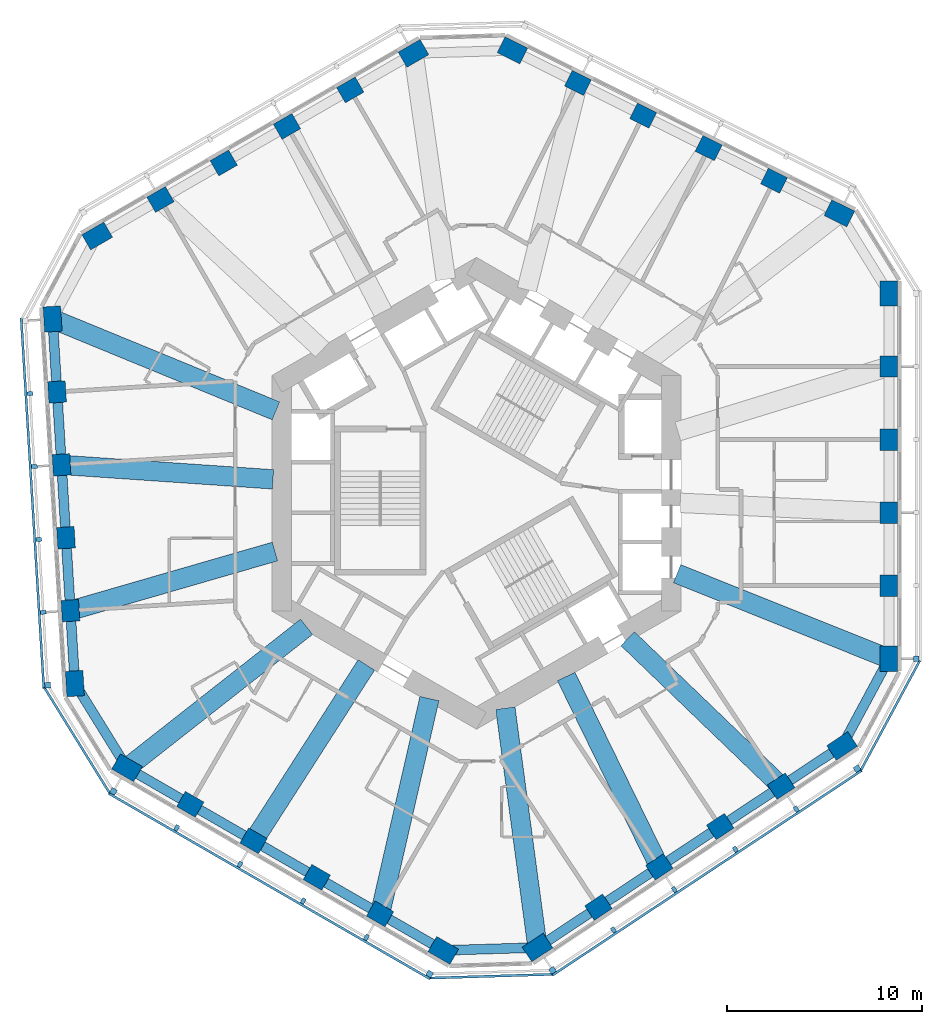
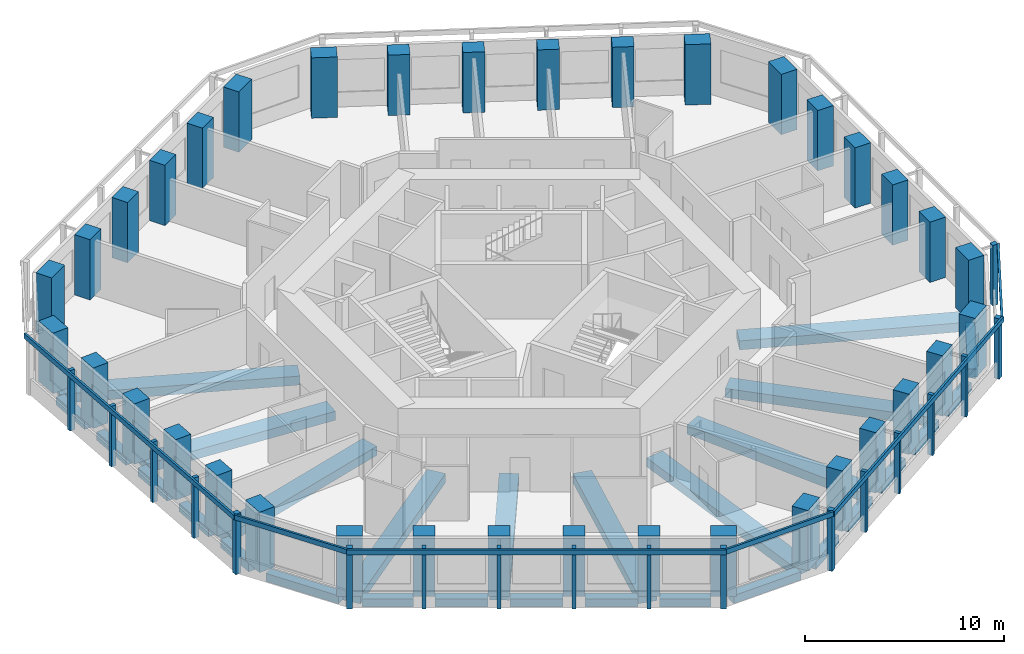
# One storey, part 1 of 11: 36 columns, 28 beams, 24 members, 7 elements without a shape of their own.
"""IFC4 building model written with IfcOpenShell, lengths in metres."""

from ifc_helpers import new_model, si_unit, direction, frame, origin, origin_2d, place, context, subcontext, project, spatial, rectangle, extrude, material, material_profile, profile_set, type_object, element, aggregate, save


model = new_model("IFC4")

# Units and contexts
model_context = context("Model", 3, precision=1e-05, world=origin(), true_north=direction((0.0, 1.0)))
body_context = subcontext(model_context, "Body", "Model", "MODEL_VIEW")
ifc_project = project(units=[si_unit("LENGTHUNIT", "METRE"), si_unit("AREAUNIT", "SQUARE_METRE"), si_unit("VOLUMEUNIT", "CUBIC_METRE"), si_unit("PLANEANGLEUNIT", "RADIAN"), si_unit("MASSUNIT", "GRAM", prefix="KILO")], contexts=[model_context])

# Site, building, storey
site_placement = place(None, origin())
site = spatial("IfcSite", under=ifc_project, at=site_placement, CompositionType="ELEMENT")
building_placement = place(site_placement, origin())
building = spatial("IfcBuilding", under=site, at=building_placement, Name="Vanh Sen Convention Tower", CompositionType="ELEMENT")
storey_placement = place(building_placement, frame((0.0, 0.0, 135.5)))
storey = spatial("IfcBuildingStorey", under=building, at=storey_placement, Name="L33", CompositionType="ELEMENT", Elevation=135.5)

# Columns
ifc_material_1 = material(Name="Concrete C80/95", Category="concrete")
ifc_material_profile_1 = material_profile(ifc_material_1, rectangle(XDim=1.10009765625, YDim=0.89990234375, at=origin_2d()), Name="RC 1100X900")
ifc_profile_set_1 = profile_set([ifc_material_profile_1], Name="Concrete C80/95")
column_type_1 = type_object("IfcColumnType", Name="Facade column 1100 x 900 C80/95", PredefinedType="COLUMN", material=ifc_profile_set_1)
for number, where, z_axis, x_axis, name in (
    (1, (21.199951171875, -4.746826171875, 0.0), (0.0, 0.0, 1.0), (0.0, 1.0, 0.0), "Facade column 02 L33"),
    (2, (21.199951171875, -0.992919921875, 0.0), (0.0, 0.0, 1.0), (0.0, 1.0, 0.0), "Facade column 03 L33"),
    (3, (21.199951171875, 2.76123046875, 0.0), (0.0, 0.0, 1.0), (0.0, 1.0, 0.0), "Facade column 04 L33"),
    (4, (21.199951171875, 6.515380859375, 0.0), (0.0, 0.0, 1.0), (0.0, 1.0, 0.0), "Facade column 05 L33"),
    (5, (15.290283203125, 16.0654296875, 0.0), (0.0, 0.0, 1.0), (-0.894934361602, 0.44619781311, 0.0), "Facade column 08 L33"),
    (6, (11.9306640625, 17.740478515625, 0.0), (0.0, 0.0, 1.0), (-0.894934361602, 0.44619781311, 0.0), "Facade column 09 L33"),
    (7, (8.57080078125, 19.41552734375, 0.0), (0.0, 0.0, 1.0), (-0.894934361602, 0.44619781311, 0.0), "Facade column 10 L33"),
    (8, (5.211181640625, 21.0908203125, 0.0), (0.0, 0.0, 1.0), (-0.894934361602, 0.44619781311, 0.0), "Facade column 11 L33"),
    (9, (-6.489013671875, 20.733154296875, 0.0), (0.0, 0.0, 1.0), (-0.866025403784, -0.5, 0.0), "Facade column 14 L33"),
    (10, (-9.740234375, 18.856201171875, 0.0), (0.0, 0.0, 1.0), (-0.866025403784, -0.5, 0.0), "Facade column 15 L33"),
    (11, (-12.991455078125, 16.97900390625, 0.0), (0.0, 0.0, 1.0), (-0.866025403784, -0.5, 0.0), "Facade column 16 L33"),
    (12, (-16.242431640625, 15.10205078125, 0.0), (0.0, 0.0, 1.0), (-0.866025403784, -0.5, 0.0), "Facade column 17 L33"),
    (13, (-21.55810546875, 5.208984375, 0.0), (0.0, 0.0, 1.0), (0.061048539535, -0.998134798422, 0.0), "Facade column 20 L33"),
    (14, (-21.3291015625, 1.4619140625, 0.0), (0.0, 0.0, 1.0), (0.061048539535, -0.998134798422, 0.0), "Facade column 21 L33"),
    (15, (-21.099853515625, -2.28515625, 0.0), (0.0, 0.0, 1.0), (0.061048539535, -0.998134798422, 0.0), "Facade column 22 L33"),
    (16, (-20.87060546875, -6.0322265625, 0.0), (0.0, 0.0, 1.0), (0.061048539535, -0.998134798422, 0.0), "Facade column 23 L33"),
    (17, (-14.7109375, -15.986328125, 0.0), (0.0, 0.0, 1.0), (0.866025403784, -0.5, 0.0), "Facade column 26 L33"),
    (18, (-11.459716796875, -17.86328125, 0.0), (0.0, 0.0, 1.0), (0.866025403784, -0.5, 0.0), "Facade column 27 L33"),
    (19, (-8.20849609375, -19.740478515625, 0.0), (0.0, 0.0, 1.0), (0.866025403784, -0.5, 0.0), "Facade column 28 L33"),
    (20, (-4.95751953125, -21.617431640625, 0.0), (0.0, 0.0, 1.0), (0.866025403784, -0.5, 0.0), "Facade column 29 L33"),
    (21, (6.267822265625, -21.2744140625, 0.0), (0.0, 0.0, 1.0), (0.833885822067, 0.551936985312, 0.0), "Facade column 32 L33"),
    (22, (9.3984375, -19.202392578125, 0.0), (0.0, 0.0, 1.0), (0.833885822067, 0.551936985312, 0.0), "Facade column 33 L33"),
    (23, (12.52880859375, -17.13037109375, 0.0), (0.0, 0.0, 1.0), (0.833885822067, 0.551936985312, 0.0), "Facade column 34 L33"),
    (24, (15.659423828125, -15.058349609375, 0.0), (0.0, 0.0, 1.0), (0.833885822067, 0.551936985312, 0.0), "Facade column 35 L33"),
):
    element("IfcColumn", number, at=place(storey_placement, frame(where, z_axis=z_axis, x_axis=x_axis)), inside=storey, type_object=column_type_1, Name=name, PredefinedType="COLUMN", context=body_context, shape_type="SweptSolid", body=[
        extrude(rectangle(XDim=1.10009765625, YDim=0.89990234375, at=origin_2d()), origin(), (0.0, 0.0, 1.0), 3.699951171875),
    ])
ifc_material_profile_2 = material_profile(ifc_material_1, rectangle(XDim=1.300048828125, YDim=0.89990234375, at=origin_2d()), Name="RC 1300X900")
ifc_profile_set_2 = profile_set([ifc_material_profile_2], Name="Concrete C80/95")
column_type_2 = type_object("IfcColumnType", Name="Facade corner column 1300 x 900 C80/95", PredefinedType="COLUMN", material=ifc_profile_set_2)
for number, where, z_axis, x_axis, name in (
    (25, (21.199951171875, -8.5009765625, 0.0), (0.0, 0.0, 1.0), (0.0, 1.0, 0.0), "Facade column 01 L33"),
    (26, (21.199951171875, 10.26953125, 0.0), (0.0, 0.0, 1.0), (0.0, 1.0, 0.0), "Facade column 06 L33"),
    (27, (18.64990234375, 14.390380859375, 0.0), (0.0, 0.0, 1.0), (-0.894934361602, 0.44619781311, 0.0), "Facade column 07 L33"),
    (28, (1.8515625, 22.765625, 0.0), (0.0, 0.0, 1.0), (-0.894934361602, 0.44619781311, 0.0), "Facade column 12 L33"),
    (29, (-3.23779296875, 22.610107421875, 0.0), (0.0, 0.0, 1.0), (-0.866025403784, -0.5, 0.0), "Facade column 13 L33"),
    (30, (-19.49365234375, 13.22509765625, 0.0), (0.0, 0.0, 1.0), (-0.866025403784, -0.5, 0.0), "Facade column 18 L33"),
    (31, (-21.787353515625, 8.956298828125, 0.0), (0.0, 0.0, 1.0), (0.061048539535, -0.998134798422, 0.0), "Facade column 19 L33"),
    (32, (-20.6416015625, -9.779296875, 0.0), (0.0, 0.0, 1.0), (0.061048539535, -0.998134798422, 0.0), "Facade column 24 L33"),
    (33, (-17.962158203125, -14.109130859375, 0.0), (0.0, 0.0, 1.0), (0.866025403784, -0.5, 0.0), "Facade column 25 L33"),
    (34, (-1.706298828125, -23.494384765625, 0.0), (0.0, 0.0, 1.0), (0.866025403784, -0.5, 0.0), "Facade column 30 L33"),
    (35, (3.137451171875, -23.346435546875, 0.0), (0.0, 0.0, 1.0), (0.833885822067, 0.551936985312, 0.0), "Facade column 31 L33"),
    (36, (18.789794921875, -12.986328125, 0.0), (0.0, 0.0, 1.0), (0.833885822067, 0.551936985312, 0.0), "Facade column 36 L33"),
):
    element("IfcColumn", number, at=place(storey_placement, frame(where, z_axis=z_axis, x_axis=x_axis)), inside=storey, type_object=column_type_2, Name=name, PredefinedType="COLUMN", context=body_context, shape_type="SweptSolid", body=[
        extrude(rectangle(XDim=1.300048828125, YDim=0.89990234375, at=origin_2d()), origin(), (0.0, 0.0, 1.0), 3.699951171875),
    ])

# Curtain wall, member
ifc_material_2 = material(Name="Concrete C50/60", Category="concrete")
curtain_wall_type = type_object("IfcCurtainWallType", Name="Outer skin office zone", PredefinedType="NOTDEFINED", material=ifc_material_2)
curtain_wall_1_placement = place(storey_placement, origin())
curtain_wall_1 = element("IfcCurtainWall", 37, at=curtain_wall_1_placement, inside=storey, type_object=curtain_wall_type, Name="OUTER SKIN E L33", PredefinedType="NOTDEFINED")
ifc_material_profile_3 = material_profile(ifc_material_2, rectangle(XDim=0.300048828125, YDim=0.300048828125, at=origin_2d()), Name="Outer skin precast corner fin 300 x 300")
ifc_profile_set_3 = profile_set([ifc_material_profile_3], Name="Concrete C50/60")
member_type_1 = type_object("IfcMemberType", Name="Outer skin precast corner fin 300 x 300", PredefinedType="MULLION", material=ifc_profile_set_3)
member_1_placement = place(storey_placement, frame((22.60009765625, -8.5009765625, 0.0), z_axis=(0.0, 0.0, 1.0), x_axis=(0.0, 1.0, 0.0)))
member_1 = element("IfcMember", 38, at=member_1_placement, type_object=member_type_1, Name="OUTER SKIN CORNER FIN 1 E L33", PredefinedType="MULLION", context=body_context, shape_type="SweptSolid", body=[
    extrude(rectangle(XDim=0.300048828125, YDim=0.300048828125, at=origin_2d()), origin(), (0.0, 0.0, 1.0), 3.699951171875),
])
aggregate(curtain_wall_1, [member_1])

curtain_wall_2_placement = place(storey_placement, origin())
curtain_wall_2 = element("IfcCurtainWall", 39, at=curtain_wall_2_placement, inside=storey, type_object=curtain_wall_type, Name="OUTER SKIN W L33", PredefinedType="NOTDEFINED")
member_2_placement = place(storey_placement, frame((-22.038818359375, -9.864990234375, 0.0), z_axis=(0.0, 0.0, 1.0), x_axis=(0.061048539535, -0.998134798422, 0.0)))
member_2 = element("IfcMember", 40, at=member_2_placement, type_object=member_type_1, Name="OUTER SKIN CORNER FIN 6 W L33", PredefinedType="MULLION", context=body_context, shape_type="SweptSolid", body=[
    extrude(rectangle(XDim=0.300048828125, YDim=0.300048828125, at=origin_2d()), origin(), (0.0, 0.0, 1.0), 3.699951171875),
])

# Curtain wall, members
curtain_wall_3_placement = place(storey_placement, origin())
curtain_wall_3 = element("IfcCurtainWall", 41, at=curtain_wall_3_placement, inside=storey, type_object=curtain_wall_type, Name="OUTER SKIN SW L33", PredefinedType="NOTDEFINED")
member_3_placement = place(storey_placement, frame((-18.662109375, -15.321533203125, 0.0), z_axis=(0.0, 0.0, 1.0), x_axis=(0.866025403784, -0.5, 0.0)))
member_3 = element("IfcMember", 42, at=member_3_placement, type_object=member_type_1, Name="OUTER SKIN CORNER FIN 1 SW L33", PredefinedType="MULLION", context=body_context, shape_type="SweptSolid", body=[
    extrude(rectangle(XDim=0.300048828125, YDim=0.300048828125, at=origin_2d()), origin(), (0.0, 0.0, 1.0), 3.699951171875),
])
member_4_placement = place(storey_placement, frame((-2.40625, -24.706787109375, 0.0), z_axis=(0.0, 0.0, 1.0), x_axis=(0.866025403784, -0.5, 0.0)))
member_4 = element("IfcMember", 43, at=member_4_placement, type_object=member_type_1, Name="OUTER SKIN CORNER FIN 6 SW L33", PredefinedType="MULLION", context=body_context, shape_type="SweptSolid", body=[
    extrude(rectangle(XDim=0.300048828125, YDim=0.300048828125, at=origin_2d()), origin(), (0.0, 0.0, 1.0), 3.699951171875),
])

curtain_wall_4_placement = place(storey_placement, origin())
curtain_wall_4 = element("IfcCurtainWall", 44, at=curtain_wall_4_placement, inside=storey, type_object=curtain_wall_type, Name="OUTER SKIN SE L33", PredefinedType="NOTDEFINED")
member_5_placement = place(storey_placement, frame((3.91015625, -24.513916015625, 0.0), z_axis=(0.0, 0.0, 1.0), x_axis=(0.833885822067, 0.551936985312, 0.0)))
member_5 = element("IfcMember", 45, at=member_5_placement, type_object=member_type_1, Name="OUTER SKIN CORNER FIN 1 SE L33", PredefinedType="MULLION", context=body_context, shape_type="SweptSolid", body=[
    extrude(rectangle(XDim=0.300048828125, YDim=0.300048828125, at=origin_2d()), origin(), (0.0, 0.0, 1.0), 3.699951171875),
])
member_6_placement = place(storey_placement, frame((19.5625, -14.15380859375, 0.0), z_axis=(0.0, 0.0, 1.0), x_axis=(0.833885822067, 0.551936985312, 0.0)))
member_6 = element("IfcMember", 46, at=member_6_placement, type_object=member_type_1, Name="OUTER SKIN CORNER FIN 6 SE L33", PredefinedType="MULLION", context=body_context, shape_type="SweptSolid", body=[
    extrude(rectangle(XDim=0.300048828125, YDim=0.300048828125, at=origin_2d()), origin(), (0.0, 0.0, 1.0), 3.699951171875),
])

# Member
ifc_material_profile_4 = material_profile(ifc_material_2, rectangle(XDim=0.199951171875, YDim=0.300048828125, at=origin_2d()), Name="Outer skin precast fin 200 x 300")
ifc_profile_set_4 = profile_set([ifc_material_profile_4], Name="Concrete C50/60")
member_type_2 = type_object("IfcMemberType", Name="Outer skin precast fin 200 x 300", PredefinedType="MULLION", material=ifc_profile_set_4)
member_7_placement = place(storey_placement, frame((-22.95556640625, 5.12353515625, 0.0), z_axis=(0.0, 0.0, 1.0), x_axis=(0.061048539535, -0.998134798422, 0.0)))
member_7 = element("IfcMember", 47, at=member_7_placement, type_object=member_type_2, Name="OUTER SKIN fin 2 W L33", PredefinedType="MULLION", context=body_context, shape_type="SweptSolid", body=[
    extrude(rectangle(XDim=0.199951171875, YDim=0.300048828125, at=origin_2d()), origin(), (0.0, 0.0, 1.0), 3.699951171875),
])

member_8_placement = place(storey_placement, frame((-22.726318359375, 1.37646484375, 0.0), z_axis=(0.0, 0.0, 1.0), x_axis=(0.061048539535, -0.998134798422, 0.0)))
member_8 = element("IfcMember", 48, at=member_8_placement, type_object=member_type_2, Name="OUTER SKIN fin 3 W L33", PredefinedType="MULLION", context=body_context, shape_type="SweptSolid", body=[
    extrude(rectangle(XDim=0.199951171875, YDim=0.300048828125, at=origin_2d()), origin(), (0.0, 0.0, 1.0), 3.699951171875),
])

member_9_placement = place(storey_placement, frame((-22.497314453125, -2.37060546875, 0.0), z_axis=(0.0, 0.0, 1.0), x_axis=(0.061048539535, -0.998134798422, 0.0)))
member_9 = element("IfcMember", 49, at=member_9_placement, type_object=member_type_2, Name="OUTER SKIN fin 4 W L33", PredefinedType="MULLION", context=body_context, shape_type="SweptSolid", body=[
    extrude(rectangle(XDim=0.199951171875, YDim=0.300048828125, at=origin_2d()), origin(), (0.0, 0.0, 1.0), 3.699951171875),
])

member_10_placement = place(storey_placement, frame((-22.26806640625, -6.117919921875, 0.0), z_axis=(0.0, 0.0, 1.0), x_axis=(0.061048539535, -0.998134798422, 0.0)))
member_10 = element("IfcMember", 50, at=member_10_placement, type_object=member_type_2, Name="OUTER SKIN fin 5 W L33", PredefinedType="MULLION", context=body_context, shape_type="SweptSolid", body=[
    extrude(rectangle(XDim=0.199951171875, YDim=0.300048828125, at=origin_2d()), origin(), (0.0, 0.0, 1.0), 3.699951171875),
])

member_11_placement = place(storey_placement, frame((-15.410888671875, -17.19873046875, 0.0), z_axis=(0.0, 0.0, 1.0), x_axis=(0.866025403784, -0.5, 0.0)))
member_11 = element("IfcMember", 51, at=member_11_placement, type_object=member_type_2, Name="OUTER SKIN fin 2 SW L33", PredefinedType="MULLION", context=body_context, shape_type="SweptSolid", body=[
    extrude(rectangle(XDim=0.199951171875, YDim=0.300048828125, at=origin_2d()), origin(), (0.0, 0.0, 1.0), 3.699951171875),
])

member_12_placement = place(storey_placement, frame((-12.159912109375, -19.07568359375, 0.0), z_axis=(0.0, 0.0, 1.0), x_axis=(0.866025403784, -0.5, 0.0)))
member_12 = element("IfcMember", 52, at=member_12_placement, type_object=member_type_2, Name="OUTER SKIN fin 3 SW L33", PredefinedType="MULLION", context=body_context, shape_type="SweptSolid", body=[
    extrude(rectangle(XDim=0.199951171875, YDim=0.300048828125, at=origin_2d()), origin(), (0.0, 0.0, 1.0), 3.699951171875),
])

member_13_placement = place(storey_placement, frame((-8.90869140625, -20.952880859375, 0.0), z_axis=(0.0, 0.0, 1.0), x_axis=(0.866025403784, -0.5, 0.0)))
member_13 = element("IfcMember", 53, at=member_13_placement, type_object=member_type_2, Name="OUTER SKIN fin 4 SW L33", PredefinedType="MULLION", context=body_context, shape_type="SweptSolid", body=[
    extrude(rectangle(XDim=0.199951171875, YDim=0.300048828125, at=origin_2d()), origin(), (0.0, 0.0, 1.0), 3.699951171875),
])

member_14_placement = place(storey_placement, frame((-5.657470703125, -22.829833984375, 0.0), z_axis=(0.0, 0.0, 1.0), x_axis=(0.866025403784, -0.5, 0.0)))
member_14 = element("IfcMember", 54, at=member_14_placement, type_object=member_type_2, Name="OUTER SKIN fin 5 SW L33", PredefinedType="MULLION", context=body_context, shape_type="SweptSolid", body=[
    extrude(rectangle(XDim=0.199951171875, YDim=0.300048828125, at=origin_2d()), origin(), (0.0, 0.0, 1.0), 3.699951171875),
])

member_15_placement = place(storey_placement, frame((7.04052734375, -22.44189453125, 0.0), z_axis=(0.0, 0.0, 1.0), x_axis=(0.833885822067, 0.551936985312, 0.0)))
member_15 = element("IfcMember", 55, at=member_15_placement, type_object=member_type_2, Name="OUTER SKIN fin 2 SE L33", PredefinedType="MULLION", context=body_context, shape_type="SweptSolid", body=[
    extrude(rectangle(XDim=0.199951171875, YDim=0.300048828125, at=origin_2d()), origin(), (0.0, 0.0, 1.0), 3.699951171875),
])

member_16_placement = place(storey_placement, frame((10.171142578125, -20.369873046875, 0.0), z_axis=(0.0, 0.0, 1.0), x_axis=(0.833885822067, 0.551936985312, 0.0)))
member_16 = element("IfcMember", 56, at=member_16_placement, type_object=member_type_2, Name="OUTER SKIN fin 3 SE L33", PredefinedType="MULLION", context=body_context, shape_type="SweptSolid", body=[
    extrude(rectangle(XDim=0.199951171875, YDim=0.300048828125, at=origin_2d()), origin(), (0.0, 0.0, 1.0), 3.699951171875),
])

member_17_placement = place(storey_placement, frame((13.301513671875, -18.2978515625, 0.0), z_axis=(0.0, 0.0, 1.0), x_axis=(0.833885822067, 0.551936985312, 0.0)))
member_17 = element("IfcMember", 57, at=member_17_placement, type_object=member_type_2, Name="OUTER SKIN fin 4 SE L33", PredefinedType="MULLION", context=body_context, shape_type="SweptSolid", body=[
    extrude(rectangle(XDim=0.199951171875, YDim=0.300048828125, at=origin_2d()), origin(), (0.0, 0.0, 1.0), 3.699951171875),
])

member_18_placement = place(storey_placement, frame((16.43212890625, -16.225830078125, 0.0), z_axis=(0.0, 0.0, 1.0), x_axis=(0.833885822067, 0.551936985312, 0.0)))
member_18 = element("IfcMember", 58, at=member_18_placement, type_object=member_type_2, Name="OUTER SKIN fin 5 SE L33", PredefinedType="MULLION", context=body_context, shape_type="SweptSolid", body=[
    extrude(rectangle(XDim=0.199951171875, YDim=0.300048828125, at=origin_2d()), origin(), (0.0, 0.0, 1.0), 3.699951171875),
])

ifc_material_profile_5 = material_profile(ifc_material_2, rectangle(XDim=0.1201171875, YDim=0.300048828125, at=origin_2d()), Name="Outer skin precast spandrel band 300 x 120")
ifc_profile_set_5 = profile_set([ifc_material_profile_5], Name="Concrete C50/60")
member_type_3 = type_object("IfcMemberType", Name="Outer skin precast spandrel band 300 x 120", PredefinedType="USERDEFINED", material=ifc_profile_set_5)
member_19_placement = place(storey_placement, frame((-23.403564453125, 9.007568359375, 3.550048828125), z_axis=(0.061052799403, -0.998134537868, 0.0), x_axis=(0.998134537868, 0.061052799403, 0.0)))
member_19 = element("IfcMember", 59, at=member_19_placement, type_object=member_type_3, Name="OUTER SKIN spandrel band W L33", ObjectType="TRANSOM", PredefinedType="USERDEFINED", context=body_context, shape_type="SweptSolid", body=[
    extrude(rectangle(XDim=0.1201171875, YDim=0.300048828125, at=origin_2d()), origin(), (0.0, 0.0, 1.0), 19.070556640625),
])

aggregate(curtain_wall_2, [member_7, member_8, member_9, member_10, member_2, member_19])

# Curtain wall, member
curtain_wall_5_placement = place(storey_placement, origin())
curtain_wall_5 = element("IfcCurtainWall", 60, at=curtain_wall_5_placement, inside=storey, type_object=curtain_wall_type, Name="OUTER SKIN CH4 L33", PredefinedType="NOTDEFINED")
member_20_placement = place(storey_placement, frame((-22.217529296875, -9.975341796875, 3.550048828125), z_axis=(0.526207913146, -0.85035594438, 0.0), x_axis=(0.85035594438, 0.526207913146, 0.0)))
member_20 = element("IfcMember", 61, at=member_20_placement, type_object=member_type_3, Name="OUTER SKIN spandrel band CH4 L33", ObjectType="TRANSOM", PredefinedType="USERDEFINED", context=body_context, shape_type="SweptSolid", body=[
    extrude(rectangle(XDim=0.1201171875, YDim=0.300048828125, at=origin_2d()), origin(), (0.0, 0.0, 1.0), 6.4169921875),
])
aggregate(curtain_wall_5, [member_20])

# Member
member_21_placement = place(storey_placement, frame((-18.89697265625, -15.428466796875, 3.550048828125), z_axis=(0.866023136587, -0.500003926881, 0.0), x_axis=(0.500003926881, 0.866023136587, 0.0)))
member_21 = element("IfcMember", 62, at=member_21_placement, type_object=member_type_3, Name="OUTER SKIN spandrel band SW L33", ObjectType="TRANSOM", PredefinedType="USERDEFINED", context=body_context, shape_type="SweptSolid", body=[
    extrude(rectangle(XDim=0.1201171875, YDim=0.300048828125, at=origin_2d()), origin(), (0.0, 0.0, 1.0), 19.070556640625),
])

aggregate(curtain_wall_3, [member_3, member_11, member_12, member_13, member_14, member_4, member_21])

# Curtain wall, member
curtain_wall_6_placement = place(storey_placement, origin())
curtain_wall_6 = element("IfcCurtainWall", 63, at=curtain_wall_6_placement, inside=storey, type_object=curtain_wall_type, Name="OUTER SKIN CH5 L33", PredefinedType="NOTDEFINED")
member_22_placement = place(storey_placement, frame((-2.39990234375, -24.916748046875, 3.550048828125), z_axis=(0.99953413443, 0.030520716071, 0.0), x_axis=(-0.030520716071, 0.99953413443, 0.0)))
member_22 = element("IfcMember", 64, at=member_22_placement, type_object=member_type_3, Name="OUTER SKIN spandrel band CH5 L33", ObjectType="TRANSOM", PredefinedType="USERDEFINED", context=body_context, shape_type="SweptSolid", body=[
    extrude(rectangle(XDim=0.1201171875, YDim=0.300048828125, at=origin_2d()), origin(), (0.0, 0.0, 1.0), 6.3193359375),
])
aggregate(curtain_wall_6, [member_22])

# Member
member_23_placement = place(storey_placement, frame((3.90087890625, -24.771728515625, 3.550048828125), z_axis=(0.833891134859, 0.551928958475, 0.0), x_axis=(-0.551928958475, 0.833891134859, 0.0)))
member_23 = element("IfcMember", 65, at=member_23_placement, type_object=member_type_3, Name="OUTER SKIN spandrel band SE L33", ObjectType="TRANSOM", PredefinedType="USERDEFINED", context=body_context, shape_type="SweptSolid", body=[
    extrude(rectangle(XDim=0.1201171875, YDim=0.300048828125, at=origin_2d()), origin(), (0.0, 0.0, 1.0), 19.070556640625),
])

aggregate(curtain_wall_4, [member_5, member_15, member_16, member_17, member_18, member_6, member_23])

# Curtain wall, member
curtain_wall_7_placement = place(storey_placement, origin())
curtain_wall_7 = element("IfcCurtainWall", 66, at=curtain_wall_7_placement, inside=storey, type_object=curtain_wall_type, Name="OUTER SKIN CH6 L33", PredefinedType="NOTDEFINED")
member_24_placement = place(storey_placement, frame((19.74755859375, -14.253173828125, 3.550048828125), z_axis=(0.473316922434, 0.880892213008, 0.0), x_axis=(-0.880892213008, 0.473316922434, 0.0)))
member_24 = element("IfcMember", 67, at=member_24_placement, type_object=member_type_3, Name="OUTER SKIN spandrel band CH6 L33", ObjectType="TRANSOM", PredefinedType="USERDEFINED", context=body_context, shape_type="SweptSolid", body=[
    extrude(rectangle(XDim=0.1201171875, YDim=0.300048828125, at=origin_2d()), origin(), (0.0, 0.0, 1.0), 6.417236328125),
])
aggregate(curtain_wall_7, [member_24])

# Beams
ifc_material_3 = material(Name="Concrete C50/60", Category="concrete")
ifc_material_profile_6 = material_profile(ifc_material_3, rectangle(XDim=1.0, YDim=0.550048828125, at=origin_2d()), Name="RC 1000X550")
ifc_profile_set_6 = profile_set([ifc_material_profile_6], Name="Concrete C50/60")
beam_type_1 = type_object("IfcBeamType", Name="Radial floor beam 1000 x 550", PredefinedType="BEAM", material=ifc_profile_set_6)
beam_1_placement = place(storey_placement, frame((20.940673828125, -8.39697265625, -0.554931640625), z_axis=(-0.928155894618, 0.372191664718, 0.0), x_axis=(-0.372191664718, -0.928155894618, 0.0)))
element("IfcBeam", 68, at=beam_1_placement, inside=storey, type_object=beam_type_1, Name="Radial beam 01 L33", PredefinedType="BEAM", context=body_context, shape_type="SweptSolid", body=[
    extrude(rectangle(XDim=1.0, YDim=0.550048828125, at=origin_2d()), origin(), (0.0, 0.0, 1.0), 11.454345703125),
])
beam_2_placement = place(storey_placement, frame((-21.5537109375, 8.860107421875, -0.554931640625), z_axis=(0.924898704651, -0.380213605932, 0.0), x_axis=(0.380213605932, 0.924898704651, 0.0)))
element("IfcBeam", 69, at=beam_2_placement, inside=storey, type_object=beam_type_1, Name="Radial beam 10 L33", PredefinedType="BEAM", context=body_context, shape_type="SweptSolid", body=[
    extrude(rectangle(XDim=1.0, YDim=0.550048828125, at=origin_2d()), origin(), (0.0, 0.0, 1.0), 12.16162109375),
])
beam_3_placement = place(storey_placement, frame((-20.9462890625, 1.435791015625, -0.554931640625), z_axis=(0.997658941032, -0.068385944315, 0.0), x_axis=(0.068385944315, 0.997658941032, 0.0)))
element("IfcBeam", 70, at=beam_3_placement, inside=storey, type_object=beam_type_1, Name="Radial beam 11 L33", PredefinedType="BEAM", context=body_context, shape_type="SweptSolid", body=[
    extrude(rectangle(XDim=1.0, YDim=0.550048828125, at=origin_2d()), origin(), (0.0, 0.0, 1.0), 10.51025390625),
])
beam_4_placement = place(storey_placement, frame((-20.602783203125, -5.954833984375, -0.554931640625), z_axis=(0.960679861027, 0.277658431563, 0.0), x_axis=(-0.277658431563, 0.960679861027, 0.0)))
element("IfcBeam", 71, at=beam_4_placement, inside=storey, type_object=beam_type_1, Name="Radial beam 12 L33", PredefinedType="BEAM", context=body_context, shape_type="SweptSolid", body=[
    extrude(rectangle(XDim=1.0, YDim=0.550048828125, at=origin_2d()), origin(), (0.0, 0.0, 1.0), 10.665771484375),
])
beam_5_placement = place(storey_placement, frame((-17.742431640625, -13.936767578125, -0.554931640625), z_axis=(0.786390075882, 0.617730239307, 0.0), x_axis=(-0.617730239307, 0.786390075882, 0.0)))
element("IfcBeam", 72, at=beam_5_placement, inside=storey, type_object=beam_type_1, Name="Radial beam 13 L33", PredefinedType="BEAM", context=body_context, shape_type="SweptSolid", body=[
    extrude(rectangle(XDim=1.0, YDim=0.550048828125, at=origin_2d()), origin(), (0.0, 0.0, 1.0), 11.454345703125),
])
beam_6_placement = place(storey_placement, frame((-11.23193359375, -17.508056640625, -0.554931640625), z_axis=(0.539975252329, 0.841680893731, 0.0), x_axis=(-0.841680893731, 0.539975252329, 0.0)))
element("IfcBeam", 73, at=beam_6_placement, inside=storey, type_object=beam_type_1, Name="Radial beam 14 L33", PredefinedType="BEAM", context=body_context, shape_type="SweptSolid", body=[
    extrude(rectangle(XDim=1.0, YDim=0.550048828125, at=origin_2d()), origin(), (0.0, 0.0, 1.0), 10.318115234375),
])
beam_7_placement = place(storey_placement, frame((-4.90380859375, -21.38330078125, -0.554931640625), z_axis=(0.22352270498, 0.974698722867, 0.0), x_axis=(-0.974698722867, 0.22352270498, 0.0)))
element("IfcBeam", 74, at=beam_7_placement, inside=storey, type_object=beam_type_1, Name="Radial beam 15 L33", PredefinedType="BEAM", context=body_context, shape_type="SweptSolid", body=[
    extrude(rectangle(XDim=1.0, YDim=0.550048828125, at=origin_2d()), origin(), (0.0, 0.0, 1.0), 11.112548828125),
])
beam_8_placement = place(storey_placement, frame((3.103759765625, -23.095947265625, -0.554931640625), z_axis=(-0.133195875593, 0.991089732933, 0.0), x_axis=(-0.991089732933, -0.133195875593, 0.0)))
element("IfcBeam", 75, at=beam_8_placement, inside=storey, type_object=beam_type_1, Name="Radial beam 16 L33", PredefinedType="BEAM", context=body_context, shape_type="SweptSolid", body=[
    extrude(rectangle(XDim=1.0, YDim=0.550048828125, at=origin_2d()), origin(), (0.0, 0.0, 1.0), 12.16162109375),
])
beam_9_placement = place(storey_placement, frame((9.229736328125, -18.85791015625, -0.554931640625), z_axis=(-0.439596726485, 0.898195256091, 0.0), x_axis=(-0.898195256091, -0.439596726485, 0.0)))
element("IfcBeam", 76, at=beam_9_placement, inside=storey, type_object=beam_type_1, Name="Radial beam 17 L33", PredefinedType="BEAM", context=body_context, shape_type="SweptSolid", body=[
    extrude(rectangle(XDim=1.0, YDim=0.550048828125, at=origin_2d()), origin(), (0.0, 0.0, 1.0), 10.510009765625),
])
beam_10_placement = place(storey_placement, frame((15.458251953125, -14.864990234375, -0.554931640625), z_axis=(-0.720797435076, 0.693145769365, 0.0), x_axis=(-0.693145769365, -0.720797435076, 0.0)))
element("IfcBeam", 77, at=beam_10_placement, inside=storey, type_object=beam_type_1, Name="Radial beam 18 L33", PredefinedType="BEAM", context=body_context, shape_type="SweptSolid", body=[
    extrude(rectangle(XDim=1.0, YDim=0.550048828125, at=origin_2d()), origin(), (0.0, 0.0, 1.0), 10.66552734375),
])
ifc_material_profile_7 = material_profile(ifc_material_3, rectangle(XDim=0.5, YDim=0.5, at=origin_2d()), Name="RC 500X500")
ifc_profile_set_7 = profile_set([ifc_material_profile_7], Name="Concrete C50/60")
beam_type_2 = type_object("IfcBeamType", Name="Spandrel beam 500 x 500", PredefinedType="SPANDREL", material=ifc_profile_set_7)
beam_11_placement = place(storey_placement, frame((-21.748046875, 8.3125, -0.530029296875), z_axis=(0.061026827248, -0.998136126165, 0.0), x_axis=(0.998136126165, 0.061026827248, 0.0)))
element("IfcBeam", 78, at=beam_11_placement, inside=storey, type_object=beam_type_2, Name="Spandrel beam 19 L33", PredefinedType="SPANDREL", context=body_context, shape_type="SweptSolid", body=[
    extrude(rectangle(XDim=0.5, YDim=0.5, at=origin_2d()), origin(), (0.0, 0.0, 1.0), 2.564453125),
])
beam_12_placement = place(storey_placement, frame((-21.52490234375, 4.665283203125, -0.530029296875), z_axis=(0.061026226429, -0.9981361629, 0.0), x_axis=(0.9981361629, 0.061026226429, 0.0)))
element("IfcBeam", 79, at=beam_12_placement, inside=storey, type_object=beam_type_2, Name="Spandrel beam 20 L33", PredefinedType="SPANDREL", context=body_context, shape_type="SweptSolid", body=[
    extrude(rectangle(XDim=0.5, YDim=0.5, at=origin_2d()), origin(), (0.0, 0.0, 1.0), 2.664306640625),
])
for number, where, z_axis, x_axis, name in (
    (80, (-21.295654296875, 0.91796875, -0.530029296875), (0.061031808409, -0.998135821601, 0.0), (0.998135821601, 0.061031808409, 0.0), "Spandrel beam 21 L33"),
    (81, (-21.06640625, -2.8291015625, -0.530029296875), (0.060940509637, -0.998141399946, 0.0), (0.998141399946, 0.060940509637, 0.0), "Spandrel beam 22 L33"),
):
    element("IfcBeam", number, at=place(storey_placement, frame(where, z_axis=z_axis, x_axis=x_axis)), inside=storey, type_object=beam_type_2, Name=name, PredefinedType="SPANDREL", context=body_context, shape_type="SweptSolid", body=[
        extrude(rectangle(XDim=0.5, YDim=0.5, at=origin_2d()), origin(), (0.0, 0.0, 1.0), 2.6640625),
    ])
beam_13_placement = place(storey_placement, frame((-20.83740234375, -6.576171875, -0.530029296875), z_axis=(0.061032627068, -0.998135771543, 0.0), x_axis=(0.998135771543, 0.061032627068, 0.0)))
element("IfcBeam", 82, at=beam_13_placement, inside=storey, type_object=beam_type_2, Name="Spandrel beam 23 L33", PredefinedType="SPANDREL", context=body_context, shape_type="SweptSolid", body=[
    extrude(rectangle(XDim=0.5, YDim=0.5, at=origin_2d()), origin(), (0.0, 0.0, 1.0), 2.564208984375),
])
beam_14_placement = place(storey_placement, frame((-20.388671875, -10.18798828125, -0.530029296875), z_axis=(0.526232532359, -0.850340709297, 0.0), x_axis=(0.850340709297, 0.526232532359, 0.0)))
element("IfcBeam", 83, at=beam_14_placement, inside=storey, type_object=beam_type_2, Name="Spandrel beam 24 L33", PredefinedType="SPANDREL", context=body_context, shape_type="SweptSolid", body=[
    extrude(rectangle(XDim=0.5, YDim=0.5, at=origin_2d()), origin(), (0.0, 0.0, 1.0), 4.130859375),
])
beam_15_placement = place(storey_placement, frame((-17.403564453125, -14.431640625, -0.530029296875), z_axis=(0.866008007854, -0.500030129425, 0.0), x_axis=(0.500030129425, 0.866008007854, 0.0)))
element("IfcBeam", 84, at=beam_15_placement, inside=storey, type_object=beam_type_2, Name="Spandrel beam 25 L33", PredefinedType="SPANDREL", context=body_context, shape_type="SweptSolid", body=[
    extrude(rectangle(XDim=0.5, YDim=0.5, at=origin_2d()), origin(), (0.0, 0.0, 1.0), 2.564208984375),
])
for number, where, z_axis, x_axis, name in (
    (85, (-14.239013671875, -16.2587890625, -0.530029296875), (0.866023818221, -0.500002746266, 0.0), (0.500002746266, 0.866023818221, 0.0), "Spandrel beam 26 L33"),
    (86, (-10.98779296875, -18.1357421875, -0.530029296875), (0.8659841347, -0.500071473339, 0.0), (0.500071473339, 0.8659841347, 0.0), "Spandrel beam 27 L33"),
    (87, (-7.736572265625, -20.012939453125, -0.530029296875), (0.866023818221, -0.500002746266, 0.0), (0.500002746266, 0.866023818221, 0.0), "Spandrel beam 28 L33"),
):
    element("IfcBeam", number, at=place(storey_placement, frame(where, z_axis=z_axis, x_axis=x_axis)), inside=storey, type_object=beam_type_2, Name=name, PredefinedType="SPANDREL", context=body_context, shape_type="SweptSolid", body=[
        extrude(rectangle(XDim=0.5, YDim=0.5, at=origin_2d()), origin(), (0.0, 0.0, 1.0), 2.6640625),
    ])
beam_16_placement = place(storey_placement, frame((-4.485595703125, -21.889892578125, -0.530029296875), z_axis=(0.866008007854, -0.500030129425, 0.0), x_axis=(0.500030129425, 0.866008007854, 0.0)))
element("IfcBeam", 88, at=beam_16_placement, inside=storey, type_object=beam_type_2, Name="Spandrel beam 29 L33", PredefinedType="SPANDREL", context=body_context, shape_type="SweptSolid", body=[
    extrude(rectangle(XDim=0.5, YDim=0.5, at=origin_2d()), origin(), (0.0, 0.0, 1.0), 2.564208984375),
])
beam_17_placement = place(storey_placement, frame((-1.260498046875, -23.48095703125, -0.530029296875), z_axis=(0.999532756569, 0.03056580679, 0.0), x_axis=(-0.03056580679, 0.999532756569, 0.0)))
element("IfcBeam", 89, at=beam_17_placement, inside=storey, type_object=beam_type_2, Name="Spandrel beam 30 L33", PredefinedType="SPANDREL", context=body_context, shape_type="SweptSolid", body=[
    extrude(rectangle(XDim=0.5, YDim=0.5, at=origin_2d()), origin(), (0.0, 0.0, 1.0), 3.953857421875),
])
beam_18_placement = place(storey_placement, frame((3.67529296875, -22.990478515625, -0.530029296875), z_axis=(0.833876783429, 0.551950640961, 0.0), x_axis=(-0.551950640961, 0.833876783429, 0.0)))
element("IfcBeam", 90, at=beam_18_placement, inside=storey, type_object=beam_type_2, Name="Spandrel beam 31 L33", PredefinedType="SPANDREL", context=body_context, shape_type="SweptSolid", body=[
    extrude(rectangle(XDim=0.5, YDim=0.5, at=origin_2d()), origin(), (0.0, 0.0, 1.0), 2.564208984375),
])
beam_19_placement = place(storey_placement, frame((6.722412109375, -20.9736328125, -0.530029296875), z_axis=(0.833906773816, 0.551905329368, 0.0), x_axis=(-0.551905329368, 0.833906773816, 0.0)))
element("IfcBeam", 91, at=beam_19_placement, inside=storey, type_object=beam_type_2, Name="Spandrel beam 32 L33", PredefinedType="SPANDREL", context=body_context, shape_type="SweptSolid", body=[
    extrude(rectangle(XDim=0.5, YDim=0.5, at=origin_2d()), origin(), (0.0, 0.0, 1.0), 2.663818359375),
])
beam_20_placement = place(storey_placement, frame((9.852783203125, -18.901611328125, -0.530029296875), z_axis=(0.8338925114, 0.551926878699, 0.0), x_axis=(-0.551926878699, 0.8338925114, 0.0)))
element("IfcBeam", 92, at=beam_20_placement, inside=storey, type_object=beam_type_2, Name="Spandrel beam 33 L33", PredefinedType="SPANDREL", context=body_context, shape_type="SweptSolid", body=[
    extrude(rectangle(XDim=0.5, YDim=0.5, at=origin_2d()), origin(), (0.0, 0.0, 1.0), 2.664306640625),
])
beam_21_placement = place(storey_placement, frame((12.9833984375, -16.82958984375, -0.530029296875), z_axis=(0.833864593577, 0.551969056722, 0.0), x_axis=(-0.551969056722, 0.833864593577, 0.0)))
element("IfcBeam", 93, at=beam_21_placement, inside=storey, type_object=beam_type_2, Name="Spandrel beam 34 L33", PredefinedType="SPANDREL", context=body_context, shape_type="SweptSolid", body=[
    extrude(rectangle(XDim=0.5, YDim=0.5, at=origin_2d()), origin(), (0.0, 0.0, 1.0), 2.6640625),
])
beam_22_placement = place(storey_placement, frame((16.114013671875, -14.757568359375, -0.530029296875), z_axis=(0.833847773334, 0.551994466372, 0.0), x_axis=(-0.551994466372, 0.833847773334, 0.0)))
element("IfcBeam", 94, at=beam_22_placement, inside=storey, type_object=beam_type_2, Name="Spandrel beam 35 L33", PredefinedType="SPANDREL", context=body_context, shape_type="SweptSolid", body=[
    extrude(rectangle(XDim=0.5, YDim=0.5, at=origin_2d()), origin(), (0.0, 0.0, 1.0), 2.56396484375),
])
beam_23_placement = place(storey_placement, frame((19.017333984375, -12.563232421875, -0.530029296875), z_axis=(0.473331343441, 0.880884464227, 0.0), x_axis=(-0.880884464227, 0.473331343441, 0.0)))
element("IfcBeam", 95, at=beam_23_placement, inside=storey, type_object=beam_type_2, Name="Spandrel beam 36 L33", PredefinedType="SPANDREL", context=body_context, shape_type="SweptSolid", body=[
    extrude(rectangle(XDim=0.5, YDim=0.5, at=origin_2d()), origin(), (0.0, 0.0, 1.0), 4.130859375),
])

save(model, "model.ifc")
